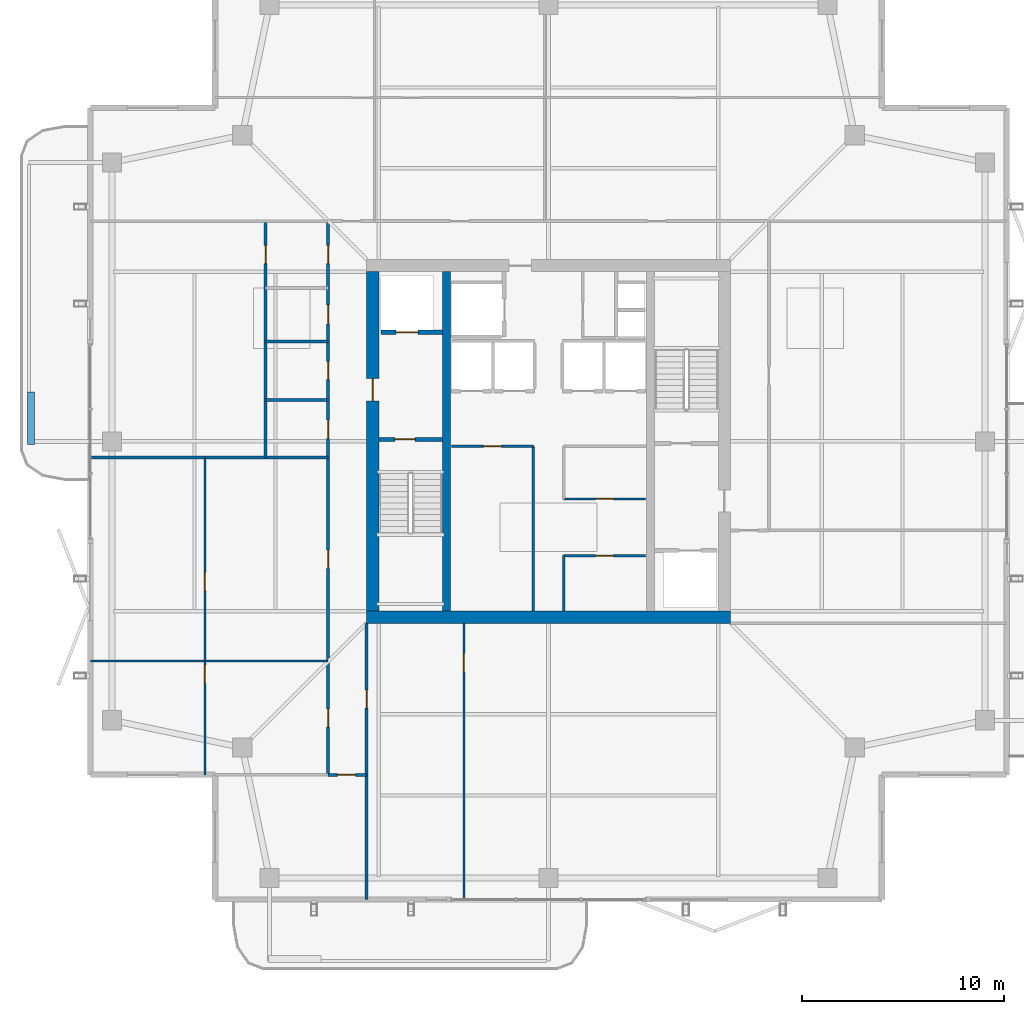
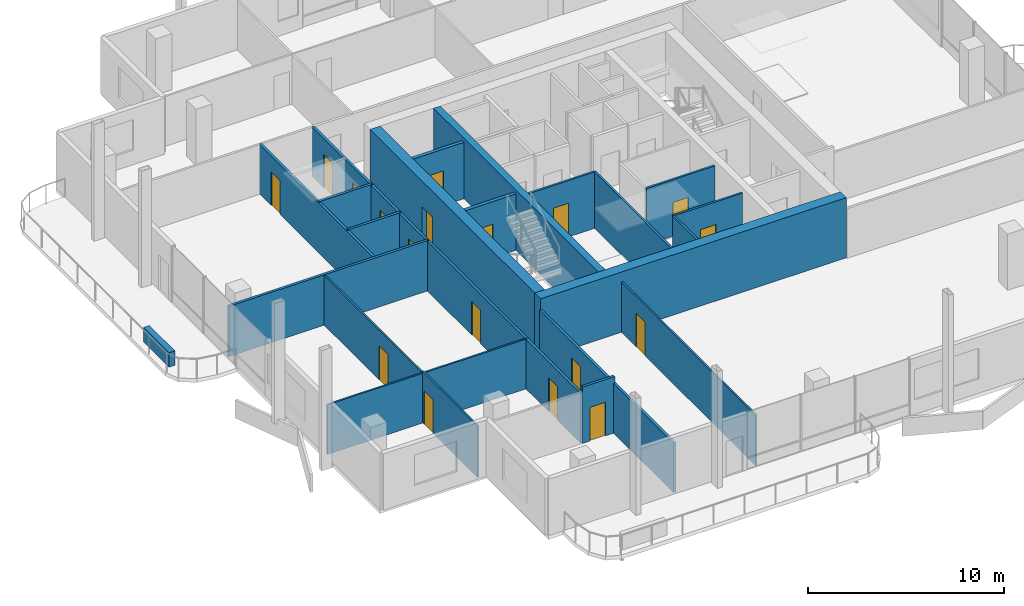
# One storey, part 14 of 20: 22 walls, 18 doors, 18 openings.
"""IFC4 building model written with IfcOpenShell, lengths in metres."""

from ifc_helpers import new_model, si_unit, direction, frame, frame_2d, origin, place, context, subcontext, project, spatial, rectangle, extrude, material, layer, layer_set, type_object, element, fill, save


model = new_model("IFC4")

# Units and contexts
model_context = context("Model", 3, precision=1e-05, world=origin(), true_north=direction((0.0, 1.0)))
body_context = subcontext(model_context, "Body", "Model", "MODEL_VIEW")
ifc_project = project(units=[si_unit("LENGTHUNIT", "METRE"), si_unit("AREAUNIT", "SQUARE_METRE"), si_unit("VOLUMEUNIT", "CUBIC_METRE"), si_unit("PLANEANGLEUNIT", "RADIAN"), si_unit("MASSUNIT", "GRAM", prefix="KILO")], contexts=[model_context])

# Site, building, storey
site_placement = place(None, origin())
site = spatial("IfcSite", under=ifc_project, at=site_placement, CompositionType="ELEMENT")
building_placement = place(site_placement, origin())
building = spatial("IfcBuilding", under=site, at=building_placement, Name="Belovzor Exchange Tower", CompositionType="ELEMENT")
storey_placement = place(building_placement, frame((0.0, 0.0, 314.25)))
storey = spatial("IfcBuildingStorey", under=building, at=storey_placement, Name="L78", CompositionType="ELEMENT", Elevation=314.25)

# Wall, opening, door
ifc_material_1 = material(Name="Acoustic Laminated Glass and Aluminium", Category="aluminium")
ifc_layer_1 = layer(ifc_material_1, 0.10009765625)
ifc_layer_set_1 = layer_set([ifc_layer_1], Name="Acoustic Laminated Glass and Aluminium")
wall_type_1 = type_object("IfcWallType", Name="Demountable Executive Glass Partition 100", PredefinedType="MOVABLE", material=ifc_layer_set_1)
wall_1_placement = place(storey_placement, frame((11.797119140625, 12.300048828125, 0.0), z_axis=(0.0, 0.0, 1.0), x_axis=(0.0, 1.0, 0.0)))
wall_1 = element("IfcWall", 1, at=wall_1_placement, inside=storey, type_object=wall_type_1, Name="W-M100 Partition Wall W-L78-WHDIV-0", PredefinedType="MOVABLE", context=body_context, shape_type="SweptSolid", body=[
    extrude(rectangle(XDim=5.6298828125, YDim=0.10009765625, at=frame_2d((2.81494140625, 0.0))), origin(), (0.0, 0.0, 1.0), 3.195068359375),
])
opening_1_placement = place(wall_1_placement, frame((4.530029296875, 0.0, 0.0)))
opening_1 = element("IfcOpeningElement", 2, at=opening_1_placement, cuts=wall_1, Name="Opening D-INT-090", PredefinedType="OPENING", context=body_context, shape_type="SweptSolid", body=[
    extrude(rectangle(XDim=0.89990234375, YDim=2.10009765625, at=frame_2d((0.449951171875, 1.050048828125))), frame((0.0, 0.06005859375, 0.0), z_axis=(0.0, -1.0, 0.0), x_axis=(1.0, 0.0, 0.0)), (0.0, 0.0, 1.0), 0.1201171875),
])
ifc_material_2 = material(Name="Veneered Hardwood Acoustic Leaf", Category="wood")
door_type_1 = type_object("IfcDoorType", Name="Trading Suite Acoustic Single Door 900x2100", OperationType="NOTDEFINED", PredefinedType="DOOR", material=ifc_material_2)
door_1_placement = place(opening_1_placement, origin())
door_1 = element("IfcDoor", 3, at=door_1_placement, inside=storey, type_object=door_type_1, Name="D-INT-090 Trading Suite Acoustic Single Door 900x2100", OperationType="SINGLE_SWING_LEFT", OverallHeight=2.10009765625, OverallWidth=0.89990234375, PredefinedType="DOOR", context=body_context, shape_type="SweptSolid", body=[
    extrude(rectangle(XDim=0.89990234375, YDim=2.10009765625, at=frame_2d((0.449951171875, 1.050048828125))), frame((0.0, 0.02490234375, 0.0), z_axis=(0.0, -1.0, 0.0), x_axis=(1.0, 0.0, 0.0)), (0.0, 0.0, 1.0), 0.050048828125),
])
fill(opening_1, door_1)

# Wall
wall_2_placement = place(storey_placement, frame((6.1298828125, 17.929931640625, 0.0), z_axis=(0.0, 0.0, 1.0), x_axis=(1.0, 0.0, 0.0)))
element("IfcWall", 4, at=wall_2_placement, inside=storey, type_object=wall_type_1, Name="W-M100 Partition Wall W-L78-WDIV-1", PredefinedType="MOVABLE", context=body_context, shape_type="SweptSolid", body=[
    extrude(rectangle(XDim=11.77001953125, YDim=0.10009765625, at=frame_2d((5.885009765625, 0.0))), origin(), (0.0, 0.0, 1.0), 3.094970703125),
])

# Wall, opening, door
wall_3_placement = place(storey_placement, frame((11.797119140625, 17.929931640625, 0.0), z_axis=(0.0, 0.0, 1.0), x_axis=(0.0, 1.0, 0.0)))
wall_3 = element("IfcWall", 5, at=wall_3_placement, inside=storey, type_object=wall_type_1, Name="W-M100 Partition Wall W-L78-WHDIV-1", PredefinedType="MOVABLE", context=body_context, shape_type="SweptSolid", body=[
    extrude(rectangle(XDim=10.070068359375, YDim=0.10009765625, at=frame_2d((5.03515625, 0.0))), origin(), (0.0, 0.0, 1.0), 3.094970703125),
])
opening_2_placement = place(wall_3_placement, frame((3.489013671875, 0.0, 0.0)))
opening_2 = element("IfcOpeningElement", 6, at=opening_2_placement, cuts=wall_3, Name="Opening D-INT-090", PredefinedType="OPENING", context=body_context, shape_type="SweptSolid", body=[
    extrude(rectangle(XDim=0.89990234375, YDim=2.10009765625, at=frame_2d((0.449951171875, 1.050048828125))), frame((0.0, 0.06005859375, 0.0), z_axis=(0.0, -1.0, 0.0), x_axis=(1.0, 0.0, 0.0)), (0.0, 0.0, 1.0), 0.1201171875),
])
door_2_placement = place(opening_2_placement, origin())
door_2 = element("IfcDoor", 7, at=door_2_placement, inside=storey, type_object=door_type_1, Name="D-INT-090 Trading Suite Acoustic Single Door 900x2100", OperationType="SINGLE_SWING_LEFT", OverallHeight=2.10009765625, OverallWidth=0.89990234375, PredefinedType="DOOR", context=body_context, shape_type="SweptSolid", body=[
    extrude(rectangle(XDim=0.89990234375, YDim=2.10009765625, at=frame_2d((0.449951171875, 1.050048828125))), frame((0.0, 0.02490234375, 0.0), z_axis=(0.0, -1.0, 0.0), x_axis=(1.0, 0.0, 0.0)), (0.0, 0.0, 1.0), 0.050048828125),
])
fill(opening_2, door_2)

wall_4_placement = place(storey_placement, frame((24.60791015625, 6.1298828125, 0.0), z_axis=(0.0, 0.0, 1.0), x_axis=(0.0, 1.0, 0.0)))
wall_4 = element("IfcWall", 8, at=wall_4_placement, inside=storey, type_object=wall_type_1, Name="W-M100 Partition Wall W-L78-SDIV-1", PredefinedType="MOVABLE", context=body_context, shape_type="SweptSolid", body=[
    extrude(rectangle(XDim=13.670166015625, YDim=0.10009765625, at=frame_2d((6.8349609375, 0.0))), origin(), (0.0, 0.0, 1.0), 3.135009765625),
])
opening_3_placement = place(wall_4_placement, frame((11.27001953125, 0.0, 0.0)))
opening_3 = element("IfcOpeningElement", 9, at=opening_3_placement, cuts=wall_4, Name="Opening D-INT-090", PredefinedType="OPENING", context=body_context, shape_type="SweptSolid", body=[
    extrude(rectangle(XDim=0.89990234375, YDim=2.10009765625, at=frame_2d((0.449951171875, 1.050048828125))), frame((0.0, 0.06005859375, 0.0), z_axis=(0.0, -1.0, 0.0), x_axis=(1.0, 0.0, 0.0)), (0.0, 0.0, 1.0), 0.1201171875),
])
door_3_placement = place(opening_3_placement, origin())
door_3 = element("IfcDoor", 10, at=door_3_placement, inside=storey, type_object=door_type_1, Name="D-INT-090 Trading Suite Acoustic Single Door 900x2100", OperationType="SINGLE_SWING_LEFT", OverallHeight=2.10009765625, OverallWidth=0.89990234375, PredefinedType="DOOR", context=body_context, shape_type="SweptSolid", body=[
    extrude(rectangle(XDim=0.89990234375, YDim=2.10009765625, at=frame_2d((0.449951171875, 1.050048828125))), frame((0.0, 0.02490234375, 0.0), z_axis=(0.0, -1.0, 0.0), x_axis=(1.0, 0.0, 0.0)), (0.0, 0.0, 1.0), 0.050048828125),
])
fill(opening_3, door_3)

ifc_material_3 = material(Name="Fire-Rated Plasterboard on Galvanised Studs", Category="gypsum")
ifc_layer_2 = layer(ifc_material_3, 0.1201171875)
ifc_layer_set_2 = layer_set([ifc_layer_2], Name="Fire-Rated Plasterboard on Galvanised Studs")
wall_type_2 = type_object("IfcWallType", Name="Fire-Rated Double-Stud Partition Wall 120", PredefinedType="PARTITIONING", material=ifc_layer_set_2)
wall_5_placement = place(storey_placement, frame((24.0, 28.550048828125, 0.0), z_axis=(0.0, 0.0, 1.0), x_axis=(1.0, 0.0, 0.0)))
wall_5 = element("IfcWall", 11, at=wall_5_placement, inside=storey, type_object=wall_type_2, Name="W-P120F Partition Wall W-CRWB-L78-N", PredefinedType="PARTITIONING", context=body_context, shape_type="SweptSolid", body=[
    extrude(rectangle(XDim=4.050048828125, YDim=0.1201171875, at=frame_2d((2.02490234375, 0.0))), origin(), (0.0, 0.0, 1.0), 3.510009765625),
])
opening_4_placement = place(wall_5_placement, frame((1.574951171875, 0.0, 0.0)))
opening_4 = element("IfcOpeningElement", 12, at=opening_4_placement, cuts=wall_5, Name="Opening D-FD60-090", PredefinedType="OPENING", context=body_context, shape_type="SweptSolid", body=[
    extrude(rectangle(XDim=0.89990234375, YDim=2.10009765625, at=frame_2d((0.449951171875, 1.050048828125))), frame((0.0, 0.070068359375, 0.0), z_axis=(0.0, -1.0, 0.0), x_axis=(1.0, 0.0, 0.0)), (0.0, 0.0, 1.0), 0.14013671875),
])
ifc_material_4 = material(Name="Acoustic Timber Fire Leaf", Category="wood")
door_type_2 = type_object("IfcDoorType", Name="Core Service & Restroom Fire Door 900x2100", OperationType="NOTDEFINED", PredefinedType="DOOR", material=ifc_material_4)
door_4_placement = place(opening_4_placement, origin())
door_4 = element("IfcDoor", 13, at=door_4_placement, inside=storey, type_object=door_type_2, Name="D-FD60-090 Core Service & Restroom Fire Door 900x2100", OperationType="SINGLE_SWING_LEFT", OverallHeight=2.10009765625, OverallWidth=0.89990234375, PredefinedType="DOOR", context=body_context, shape_type="SweptSolid", body=[
    extrude(rectangle(XDim=0.89990234375, YDim=2.10009765625, at=frame_2d((0.449951171875, 1.050048828125))), frame((0.0, 0.02490234375, 0.0), z_axis=(0.0, -1.0, 0.0), x_axis=(1.0, 0.0, 0.0)), (0.0, 0.0, 1.0), 0.050048828125),
])
fill(opening_4, door_4)

# Wall
wall_6_placement = place(storey_placement, frame((28.050048828125, 20.39990234375, 0.0), z_axis=(0.0, 0.0, 1.0), x_axis=(0.0, 1.0, 0.0)))
element("IfcWall", 14, at=wall_6_placement, inside=storey, type_object=wall_type_2, Name="W-P120F Partition Wall W-CRWB-L78-E", PredefinedType="PARTITIONING", context=body_context, shape_type="SweptSolid", body=[
    extrude(rectangle(XDim=8.150146484375, YDim=0.1201171875, at=frame_2d((4.0751953125, 0.0))), origin(), (0.0, 0.0, 1.0), 3.510009765625),
])

# Wall, opening, door
wall_7_placement = place(storey_placement, frame((29.550048828125, 23.14990234375, 0.0), z_axis=(0.0, 0.0, 1.0), x_axis=(1.0, 0.0, 0.0)))
wall_7 = element("IfcWall", 15, at=wall_7_placement, inside=storey, type_object=wall_type_2, Name="W-P120F Partition Wall W-CRL-L78-EN", PredefinedType="PARTITIONING", context=body_context, shape_type="SweptSolid", body=[
    extrude(rectangle(XDim=4.050048828125, YDim=0.1201171875, at=frame_2d((2.02490234375, 0.0))), origin(), (0.0, 0.0, 1.0), 3.510009765625),
])
opening_5_placement = place(wall_7_placement, frame((1.574951171875, 0.0, 0.0)))
opening_5 = element("IfcOpeningElement", 16, at=opening_5_placement, cuts=wall_7, Name="Opening D-FD60-090", PredefinedType="OPENING", context=body_context, shape_type="SweptSolid", body=[
    extrude(rectangle(XDim=0.89990234375, YDim=2.10009765625, at=frame_2d((0.449951171875, 1.050048828125))), frame((0.0, 0.070068359375, 0.0), z_axis=(0.0, -1.0, 0.0), x_axis=(1.0, 0.0, 0.0)), (0.0, 0.0, 1.0), 0.14013671875),
])
door_5_placement = place(opening_5_placement, origin())
door_5 = element("IfcDoor", 17, at=door_5_placement, inside=storey, type_object=door_type_2, Name="D-FD60-090 Core Service & Restroom Fire Door 900x2100", OperationType="SINGLE_SWING_RIGHT", OverallHeight=2.10009765625, OverallWidth=0.89990234375, PredefinedType="DOOR", context=body_context, shape_type="SweptSolid", body=[
    extrude(rectangle(XDim=0.89990234375, YDim=2.10009765625, at=frame_2d((0.449951171875, 1.050048828125))), frame((0.0, 0.02490234375, 0.0), z_axis=(0.0, -1.0, 0.0), x_axis=(1.0, 0.0, 0.0)), (0.0, 0.0, 1.0), 0.050048828125),
])
fill(opening_5, door_5)

# Wall
wall_8_placement = place(storey_placement, frame((29.550048828125, 20.39990234375, 0.0), z_axis=(0.0, 0.0, 1.0), x_axis=(0.0, 1.0, 0.0)))
element("IfcWall", 18, at=wall_8_placement, inside=storey, type_object=wall_type_2, Name="W-P120F Partition Wall W-CRL-L78-EW", PredefinedType="PARTITIONING", context=body_context, shape_type="SweptSolid", body=[
    extrude(rectangle(XDim=2.75, YDim=0.1201171875, at=frame_2d((1.375, 0.0))), origin(), (0.0, 0.0, 1.0), 3.510009765625),
])

# Wall, opening, door
wall_9_placement = place(storey_placement, frame((29.550048828125, 25.949951171875, 0.0), z_axis=(0.0, 0.0, 1.0), x_axis=(1.0, 0.0, 0.0)))
wall_9 = element("IfcWall", 19, at=wall_9_placement, inside=storey, type_object=wall_type_2, Name="W-P120F Partition Wall W-CRM-L78-ES", PredefinedType="PARTITIONING", context=body_context, shape_type="SweptSolid", body=[
    extrude(rectangle(XDim=4.050048828125, YDim=0.1201171875, at=frame_2d((2.02490234375, 0.0))), origin(), (0.0, 0.0, 1.0), 3.510009765625),
])
opening_6_placement = place(wall_9_placement, frame((1.574951171875, 0.0, 0.0)))
opening_6 = element("IfcOpeningElement", 20, at=opening_6_placement, cuts=wall_9, Name="Opening D-FD60-090", PredefinedType="OPENING", context=body_context, shape_type="SweptSolid", body=[
    extrude(rectangle(XDim=0.89990234375, YDim=2.10009765625, at=frame_2d((0.449951171875, 1.050048828125))), frame((0.0, 0.070068359375, 0.0), z_axis=(0.0, -1.0, 0.0), x_axis=(1.0, 0.0, 0.0)), (0.0, 0.0, 1.0), 0.14013671875),
])
door_6_placement = place(opening_6_placement, origin())
door_6 = element("IfcDoor", 21, at=door_6_placement, inside=storey, type_object=door_type_2, Name="D-FD60-090 Core Service & Restroom Fire Door 900x2100", OperationType="SINGLE_SWING_RIGHT", OverallHeight=2.10009765625, OverallWidth=0.89990234375, PredefinedType="DOOR", context=body_context, shape_type="SweptSolid", body=[
    extrude(rectangle(XDim=0.89990234375, YDim=2.10009765625, at=frame_2d((0.449951171875, 1.050048828125))), frame((0.0, 0.02490234375, 0.0), z_axis=(0.0, -1.0, 0.0), x_axis=(1.0, 0.0, 0.0)), (0.0, 0.0, 1.0), 0.050048828125),
])
fill(opening_6, door_6)

ifc_material_5 = material(Name="Fire-Rated Gypsum Block and Mineral Wool", Category="gypsum")
ifc_layer_3 = layer(ifc_material_5, 0.14990234375)
ifc_layer_set_3 = layer_set([ifc_layer_3], Name="Fire-Rated Gypsum Block and Mineral Wool")
wall_type_3 = type_object("IfcWallType", Name="Fire-Rated Gypsum Block Corridor Wall 150", PredefinedType="PARTITIONING", material=ifc_layer_set_3)
wall_10_placement = place(storey_placement, frame((14.800048828125, 28.0, 0.0), z_axis=(0.0, 0.0, 1.0), x_axis=(0.0, 1.0, 0.0)))
wall_10 = element("IfcWall", 22, at=wall_10_placement, inside=storey, type_object=wall_type_3, Name="W-P150 Partition Wall W-L78-WCW", PredefinedType="PARTITIONING", context=body_context, shape_type="SweptSolid", body=[
    extrude(rectangle(XDim=11.699951171875, YDim=0.14990234375, at=frame_2d((5.85009765625, 0.0))), origin(), (0.0, 0.0, 1.0), 3.094970703125),
])
opening_7_placement = place(wall_10_placement, frame((9.60009765625, 0.0, 0.0)))
opening_7 = element("IfcOpeningElement", 23, at=opening_7_placement, cuts=wall_10, Name="Opening D-INT-090", PredefinedType="OPENING", context=body_context, shape_type="SweptSolid", body=[
    extrude(rectangle(XDim=0.89990234375, YDim=2.10009765625, at=frame_2d((0.449951171875, 1.050048828125))), frame((0.0, 0.0849609375, 0.0), z_axis=(0.0, -1.0, 0.0), x_axis=(1.0, 0.0, 0.0)), (0.0, 0.0, 1.0), 0.169921875),
])
door_7_placement = place(opening_7_placement, origin())
door_7 = element("IfcDoor", 24, at=door_7_placement, inside=storey, type_object=door_type_1, Name="D-INT-090 Trading Suite Acoustic Single Door 900x2100", OperationType="SINGLE_SWING_LEFT", OverallHeight=2.10009765625, OverallWidth=0.89990234375, PredefinedType="DOOR", context=body_context, shape_type="SweptSolid", body=[
    extrude(rectangle(XDim=0.89990234375, YDim=2.10009765625, at=frame_2d((0.449951171875, 1.050048828125))), frame((0.0, 0.02490234375, 0.0), z_axis=(0.0, -1.0, 0.0), x_axis=(1.0, 0.0, 0.0)), (0.0, 0.0, 1.0), 0.050048828125),
])
fill(opening_7, door_7)

# Walls
wall_11_placement = place(storey_placement, frame((6.1298828125, 28.0, 0.0), z_axis=(0.0, 0.0, 1.0), x_axis=(1.0, 0.0, 0.0)))
element("IfcWall", 25, at=wall_11_placement, inside=storey, type_object=wall_type_3, Name="W-P150 Partition Wall W-L78-WCS", PredefinedType="PARTITIONING", context=body_context, shape_type="SweptSolid", body=[
    extrude(rectangle(XDim=11.77001953125, YDim=0.14990234375, at=frame_2d((5.885009765625, 0.0))), origin(), (0.0, 0.0, 1.0), 3.135009765625),
])
for number, where, z_axis, x_axis, name in (
    (26, (14.800048828125, 30.85009765625, 0.0), (0.0, 0.0, 1.0), (1.0, 0.0, 0.0), "W-P150 Partition Wall W-L78-WCD1"),
    (27, (14.800048828125, 33.75, 0.0), (0.0, 0.0, 1.0), (1.0, 0.0, 0.0), "W-P150 Partition Wall W-L78-WCD2"),
):
    element("IfcWall", number, at=place(storey_placement, frame(where, z_axis=z_axis, x_axis=x_axis)), inside=storey, type_object=wall_type_3, Name=name, PredefinedType="PARTITIONING", context=body_context, shape_type="SweptSolid", body=[
        extrude(rectangle(XDim=3.099853515625, YDim=0.14990234375, at=frame_2d((1.5498046875, 0.0))), origin(), (0.0, 0.0, 1.0), 3.135009765625),
    ])

# Wall, opening, door
wall_12_placement = place(storey_placement, frame((17.89990234375, 12.300048828125, 0.0), z_axis=(0.0, 0.0, 1.0), x_axis=(1.0, 0.0, 0.0)))
wall_12 = element("IfcWall", 28, at=wall_12_placement, inside=storey, type_object=wall_type_3, Name="W-P150 Partition Wall W-L78-CW-END", PredefinedType="PARTITIONING", context=body_context, shape_type="SweptSolid", body=[
    extrude(rectangle(XDim=1.900146484375, YDim=0.14990234375, at=frame_2d((0.9501953125, 0.0))), origin(), (0.0, 0.0, 1.0), 3.510009765625),
])
opening_8_placement = place(wall_12_placement, frame((0.449951171875, 0.0, 0.0)))
opening_8 = element("IfcOpeningElement", 29, at=opening_8_placement, cuts=wall_12, Name="Opening D-FD60-090", PredefinedType="OPENING", context=body_context, shape_type="SweptSolid", body=[
    extrude(rectangle(XDim=0.89990234375, YDim=2.10009765625, at=frame_2d((0.449951171875, 1.050048828125))), frame((0.0, 0.0849609375, 0.0), z_axis=(0.0, -1.0, 0.0), x_axis=(1.0, 0.0, 0.0)), (0.0, 0.0, 1.0), 0.169921875),
])
door_8_placement = place(opening_8_placement, origin())
door_8 = element("IfcDoor", 30, at=door_8_placement, inside=storey, type_object=door_type_2, Name="D-FD60-090 Core Service & Restroom Fire Door 900x2100", OperationType="SINGLE_SWING_LEFT", OverallHeight=2.10009765625, OverallWidth=0.89990234375, PredefinedType="DOOR", context=body_context, shape_type="SweptSolid", body=[
    extrude(rectangle(XDim=0.89990234375, YDim=2.10009765625, at=frame_2d((0.449951171875, 1.050048828125))), frame((0.0, 0.02490234375, 0.0), z_axis=(0.0, -1.0, 0.0), x_axis=(1.0, 0.0, 0.0)), (0.0, 0.0, 1.0), 0.050048828125),
])
fill(opening_8, door_8)

wall_13_placement = place(storey_placement, frame((19.800048828125, 6.1298828125, 0.0), z_axis=(0.0, 0.0, 1.0), x_axis=(0.0, 1.0, 0.0)))
wall_13 = element("IfcWall", 31, at=wall_13_placement, inside=storey, type_object=wall_type_3, Name="W-P150 Partition Wall W-L78-CW-E", PredefinedType="PARTITIONING", context=body_context, shape_type="SweptSolid", body=[
    extrude(rectangle(XDim=13.670166015625, YDim=0.14990234375, at=frame_2d((6.8349609375, 0.0))), origin(), (0.0, 0.0, 1.0), 3.094970703125),
])
opening_9_placement = place(wall_13_placement, frame((9.469970703125, 0.0, 0.0)))
opening_9 = element("IfcOpeningElement", 32, at=opening_9_placement, cuts=wall_13, Name="Opening D-FD60-090", PredefinedType="OPENING", context=body_context, shape_type="SweptSolid", body=[
    extrude(rectangle(XDim=0.89990234375, YDim=2.10009765625, at=frame_2d((0.449951171875, 1.050048828125))), frame((0.0, 0.0849609375, 0.0), z_axis=(0.0, -1.0, 0.0), x_axis=(1.0, 0.0, 0.0)), (0.0, 0.0, 1.0), 0.169921875),
])
door_9_placement = place(opening_9_placement, origin())
door_9 = element("IfcDoor", 33, at=door_9_placement, inside=storey, type_object=door_type_2, Name="D-FD60-090 Core Service & Restroom Fire Door 900x2100", OperationType="SINGLE_SWING_RIGHT", OverallHeight=2.10009765625, OverallWidth=0.89990234375, PredefinedType="DOOR", context=body_context, shape_type="SweptSolid", body=[
    extrude(rectangle(XDim=0.89990234375, YDim=2.10009765625, at=frame_2d((0.449951171875, 1.050048828125))), frame((0.0, 0.02490234375, 0.0), z_axis=(0.0, -1.0, 0.0), x_axis=(1.0, 0.0, 0.0)), (0.0, 0.0, 1.0), 0.050048828125),
])
fill(opening_9, door_9)

# Wall, openings, doors
wall_14_placement = place(storey_placement, frame((17.89990234375, 12.300048828125, 0.0), z_axis=(0.0, 0.0, 1.0), x_axis=(0.0, 1.0, 0.0)))
wall_14 = element("IfcWall", 34, at=wall_14_placement, inside=storey, type_object=wall_type_3, Name="W-P150 Partition Wall W-L78-CW", PredefinedType="PARTITIONING", context=body_context, shape_type="SweptSolid", body=[
    extrude(rectangle(XDim=27.39990234375, YDim=0.14990234375, at=frame_2d((13.699951171875, 0.0))), origin(), (0.0, 0.0, 1.0), 3.094970703125),
])
opening_10_placement = place(wall_14_placement, frame((2.364990234375, 0.0, 0.0)))
opening_10 = element("IfcOpeningElement", 35, at=opening_10_placement, cuts=wall_14, Name="Opening D-INT-090", PredefinedType="OPENING", context=body_context, shape_type="SweptSolid", body=[
    extrude(rectangle(XDim=0.89990234375, YDim=2.10009765625, at=frame_2d((0.449951171875, 1.050048828125))), frame((0.0, 0.0849609375, 0.0), z_axis=(0.0, -1.0, 0.0), x_axis=(1.0, 0.0, 0.0)), (0.0, 0.0, 1.0), 0.169921875),
])
opening_11_placement = place(wall_14_placement, frame((10.215087890625, 0.0, 0.0)))
opening_11 = element("IfcOpeningElement", 36, at=opening_11_placement, cuts=wall_14, Name="Opening D-INT-090", PredefinedType="OPENING", context=body_context, shape_type="SweptSolid", body=[
    extrude(rectangle(XDim=0.89990234375, YDim=2.10009765625, at=frame_2d((0.449951171875, 1.050048828125))), frame((0.0, 0.0849609375, 0.0), z_axis=(0.0, -1.0, 0.0), x_axis=(1.0, 0.0, 0.0)), (0.0, 0.0, 1.0), 0.169921875),
])
opening_12_placement = place(wall_14_placement, frame((16.64990234375, 0.0, 0.0)))
opening_12 = element("IfcOpeningElement", 37, at=opening_12_placement, cuts=wall_14, Name="Opening D-FD60-090", PredefinedType="OPENING", context=body_context, shape_type="SweptSolid", body=[
    extrude(rectangle(XDim=0.89990234375, YDim=2.10009765625, at=frame_2d((0.449951171875, 1.050048828125))), frame((0.0, 0.0849609375, 0.0), z_axis=(0.0, -1.0, 0.0), x_axis=(1.0, 0.0, 0.0)), (0.0, 0.0, 1.0), 0.169921875),
])
opening_13_placement = place(wall_14_placement, frame((19.550048828125, 0.0, 0.0)))
opening_13 = element("IfcOpeningElement", 38, at=opening_13_placement, cuts=wall_14, Name="Opening D-FD60-090", PredefinedType="OPENING", context=body_context, shape_type="SweptSolid", body=[
    extrude(rectangle(XDim=0.89990234375, YDim=2.10009765625, at=frame_2d((0.449951171875, 1.050048828125))), frame((0.0, 0.0849609375, 0.0), z_axis=(0.0, -1.0, 0.0), x_axis=(1.0, 0.0, 0.0)), (0.0, 0.0, 1.0), 0.169921875),
])
opening_14_placement = place(wall_14_placement, frame((22.300048828125, 0.0, 0.0)))
opening_14 = element("IfcOpeningElement", 39, at=opening_14_placement, cuts=wall_14, Name="Opening D-FD60-095", PredefinedType="OPENING", context=body_context, shape_type="SweptSolid", body=[
    extrude(rectangle(XDim=0.949951171875, YDim=2.10009765625, at=frame_2d((0.47509765625, 1.050048828125))), frame((0.0, 0.0849609375, 0.0), z_axis=(0.0, -1.0, 0.0), x_axis=(1.0, 0.0, 0.0)), (0.0, 0.0, 1.0), 0.169921875),
])
opening_15_placement = place(wall_14_placement, frame((25.300048828125, 0.0, 0.0)))
opening_15 = element("IfcOpeningElement", 40, at=opening_15_placement, cuts=wall_14, Name="Opening D-FD60-090", PredefinedType="OPENING", context=body_context, shape_type="SweptSolid", body=[
    extrude(rectangle(XDim=0.89990234375, YDim=2.10009765625, at=frame_2d((0.449951171875, 1.050048828125))), frame((0.0, 0.0849609375, 0.0), z_axis=(0.0, -1.0, 0.0), x_axis=(1.0, 0.0, 0.0)), (0.0, 0.0, 1.0), 0.169921875),
])
ifc_material_6 = material(Name="Moisture-Resistant Timber Fire Leaf", Category="wood")
door_type_3 = type_object("IfcDoorType", Name="Accessible Restroom Wide Fire Door 950x2100", OperationType="NOTDEFINED", PredefinedType="DOOR", material=ifc_material_6)
door_10_placement = place(opening_14_placement, origin())
door_10 = element("IfcDoor", 41, at=door_10_placement, inside=storey, type_object=door_type_3, Name="D-FD60-095 Accessible Restroom Wide Fire Door 950x2100", OperationType="SINGLE_SWING_LEFT", OverallHeight=2.10009765625, OverallWidth=0.949951171875, PredefinedType="DOOR", context=body_context, shape_type="SweptSolid", body=[
    extrude(rectangle(XDim=0.949951171875, YDim=2.10009765625, at=frame_2d((0.47509765625, 1.050048828125))), frame((0.0, 0.02490234375, 0.0), z_axis=(0.0, -1.0, 0.0), x_axis=(1.0, 0.0, 0.0)), (0.0, 0.0, 1.0), 0.050048828125),
])
fill(opening_14, door_10)
door_11_placement = place(opening_12_placement, origin())
door_11 = element("IfcDoor", 42, at=door_11_placement, inside=storey, type_object=door_type_2, Name="D-FD60-090 Core Service & Restroom Fire Door 900x2100", OperationType="SINGLE_SWING_LEFT", OverallHeight=2.10009765625, OverallWidth=0.89990234375, PredefinedType="DOOR", context=body_context, shape_type="SweptSolid", body=[
    extrude(rectangle(XDim=0.89990234375, YDim=2.10009765625, at=frame_2d((0.449951171875, 1.050048828125))), frame((0.0, 0.02490234375, 0.0), z_axis=(0.0, -1.0, 0.0), x_axis=(1.0, 0.0, 0.0)), (0.0, 0.0, 1.0), 0.050048828125),
])
fill(opening_12, door_11)
door_12_placement = place(opening_13_placement, origin())
door_12 = element("IfcDoor", 43, at=door_12_placement, inside=storey, type_object=door_type_2, Name="D-FD60-090 Core Service & Restroom Fire Door 900x2100", OperationType="SINGLE_SWING_RIGHT", OverallHeight=2.10009765625, OverallWidth=0.89990234375, PredefinedType="DOOR", context=body_context, shape_type="SweptSolid", body=[
    extrude(rectangle(XDim=0.89990234375, YDim=2.10009765625, at=frame_2d((0.449951171875, 1.050048828125))), frame((0.0, 0.02490234375, 0.0), z_axis=(0.0, -1.0, 0.0), x_axis=(1.0, 0.0, 0.0)), (0.0, 0.0, 1.0), 0.050048828125),
])
fill(opening_13, door_12)
door_13_placement = place(opening_15_placement, origin())
door_13 = element("IfcDoor", 44, at=door_13_placement, inside=storey, type_object=door_type_2, Name="D-FD60-090 Core Service & Restroom Fire Door 900x2100", OperationType="SINGLE_SWING_LEFT", OverallHeight=2.10009765625, OverallWidth=0.89990234375, PredefinedType="DOOR", context=body_context, shape_type="SweptSolid", body=[
    extrude(rectangle(XDim=0.89990234375, YDim=2.10009765625, at=frame_2d((0.449951171875, 1.050048828125))), frame((0.0, 0.02490234375, 0.0), z_axis=(0.0, -1.0, 0.0), x_axis=(1.0, 0.0, 0.0)), (0.0, 0.0, 1.0), 0.050048828125),
])
fill(opening_15, door_13)
door_14_placement = place(opening_10_placement, origin())
door_14 = element("IfcDoor", 45, at=door_14_placement, inside=storey, type_object=door_type_1, Name="D-INT-090 Trading Suite Acoustic Single Door 900x2100", OperationType="SINGLE_SWING_LEFT", OverallHeight=2.10009765625, OverallWidth=0.89990234375, PredefinedType="DOOR", context=body_context, shape_type="SweptSolid", body=[
    extrude(rectangle(XDim=0.89990234375, YDim=2.10009765625, at=frame_2d((0.449951171875, 1.050048828125))), frame((0.0, 0.02490234375, 0.0), z_axis=(0.0, -1.0, 0.0), x_axis=(1.0, 0.0, 0.0)), (0.0, 0.0, 1.0), 0.050048828125),
])
fill(opening_10, door_14)
door_15_placement = place(opening_11_placement, origin())
door_15 = element("IfcDoor", 46, at=door_15_placement, inside=storey, type_object=door_type_1, Name="D-INT-090 Trading Suite Acoustic Single Door 900x2100", OperationType="SINGLE_SWING_RIGHT", OverallHeight=2.10009765625, OverallWidth=0.89990234375, PredefinedType="DOOR", context=body_context, shape_type="SweptSolid", body=[
    extrude(rectangle(XDim=0.89990234375, YDim=2.10009765625, at=frame_2d((0.449951171875, 1.050048828125))), frame((0.0, 0.02490234375, 0.0), z_axis=(0.0, -1.0, 0.0), x_axis=(1.0, 0.0, 0.0)), (0.0, 0.0, 1.0), 0.050048828125),
])
fill(opening_11, door_15)

# Walls
ifc_material_7 = material(Name="Precast concrete C40/50", Category="concrete")
ifc_layer_4 = layer(ifc_material_7, 0.35009765625)
ifc_layer_set_4 = layer_set([ifc_layer_4], Name="Precast concrete C40/50")
wall_type_4 = type_object("IfcWallType", Name="Precast Concrete Structural Tree Planter Trough 350", PredefinedType="PARAPET", material=ifc_layer_set_4)
wall_15_placement = place(storey_placement, frame((3.199951171875, 28.64990234375, 0.0), z_axis=(0.0, 0.0, 1.0), x_axis=(0.0, 1.0, 0.0)))
element("IfcWall", 47, at=wall_15_placement, inside=storey, type_object=wall_type_4, Name="PT-350 Precast Concrete Structural Tree Planter Trough 350 L78", PredefinedType="PARAPET", context=body_context, shape_type="SweptSolid", body=[
    extrude(rectangle(XDim=2.60009765625, YDim=0.35009765625, at=frame_2d((1.300048828125, 0.0))), origin(), (0.0, 0.0, 1.0), 0.89990234375),
])
ifc_material_8 = material(Name="Concrete C50/60", Category="concrete")
ifc_layer_5 = layer(ifc_material_8, 0.39990234375)
ifc_layer_set_5 = layer_set([ifc_layer_5], Name="Concrete C50/60")
wall_type_5 = type_object("IfcWallType", Name="Reinforced Concrete Core Internal Web Wall 400", PredefinedType="SHEAR", material=ifc_layer_set_5)
wall_16_placement = place(storey_placement, frame((23.75, 20.39990234375, 0.0), z_axis=(0.0, 0.0, 1.0), x_axis=(0.0, 1.0, 0.0)))
element("IfcWall", 48, at=wall_16_placement, inside=storey, type_object=wall_type_5, Name="CW-W040 Core Internal Web Wall L78 WL", PredefinedType="SHEAR", context=body_context, shape_type="SweptSolid", body=[
    extrude(rectangle(XDim=16.800048828125, YDim=0.39990234375, at=frame_2d((8.39990234375, 0.0))), origin(), (0.0, 0.0, 1.0), 3.75),
])

# Wall, opening, door
ifc_material_9 = material(Name="Concrete C50/60", Category="concrete")
ifc_layer_6 = layer(ifc_material_9, 0.199951171875)
ifc_layer_set_6 = layer_set([ifc_layer_6], Name="Concrete C50/60")
wall_type_6 = type_object("IfcWallType", Name="Reinforced Concrete Core Shaft Shear Wall 200", PredefinedType="SHEAR", material=ifc_layer_set_6)
wall_17_placement = place(storey_placement, frame((20.39990234375, 28.89990234375, 0.0), z_axis=(0.0, 0.0, 1.0), x_axis=(1.0, 0.0, 0.0)))
wall_17 = element("IfcWall", 49, at=wall_17_placement, inside=storey, type_object=wall_type_6, Name="W-C200S Core Shaft Wall W-CORE-L78-FFLW1", PredefinedType="SHEAR", context=body_context, shape_type="SweptSolid", body=[
    extrude(rectangle(XDim=3.150146484375, YDim=0.199951171875, at=frame_2d((1.5751953125, 0.0))), origin(), (0.0, 0.0, 1.0), 3.510009765625),
])
opening_16_placement = place(wall_17_placement, frame((0.800048828125, 0.0, 0.0)))
opening_16 = element("IfcOpeningElement", 50, at=opening_16_placement, cuts=wall_17, Name="Opening D-FD90-100", PredefinedType="OPENING", context=body_context, shape_type="SweptSolid", body=[
    extrude(rectangle(XDim=1.0, YDim=2.10009765625, at=frame_2d((0.5, 1.050048828125))), frame((0.0, 0.10986328125, 0.0), z_axis=(0.0, -1.0, 0.0), x_axis=(1.0, 0.0, 0.0)), (0.0, 0.0, 1.0), 0.219970703125),
])
ifc_material_10 = material(Name="Fire-Rated Galvanised Steel Leaf", Category="steel")
door_type_4 = type_object("IfcDoorType", Name="Protected Stairwell Single Fire Door 1000x2100", OperationType="NOTDEFINED", PredefinedType="DOOR", material=ifc_material_10)
door_16_placement = place(opening_16_placement, origin())
door_16 = element("IfcDoor", 51, at=door_16_placement, inside=storey, type_object=door_type_4, Name="D-FD90-100 Protected Stairwell Single Fire Door 1000x2100", OperationType="SINGLE_SWING_RIGHT", OverallHeight=2.10009765625, OverallWidth=1.0, PredefinedType="DOOR", context=body_context, shape_type="SweptSolid", body=[
    extrude(rectangle(XDim=1.0, YDim=2.10009765625, at=frame_2d((0.5, 1.050048828125))), frame((0.0, 0.02490234375, 0.0), z_axis=(0.0, -1.0, 0.0), x_axis=(1.0, 0.0, 0.0)), (0.0, 0.0, 1.0), 0.050048828125),
])
fill(opening_16, door_16)

wall_18_placement = place(storey_placement, frame((20.5, 34.199951171875, 0.0), z_axis=(0.0, 0.0, 1.0), x_axis=(1.0, 0.0, 0.0)))
wall_18 = element("IfcWall", 52, at=wall_18_placement, inside=storey, type_object=wall_type_6, Name="W-C200S Core Shaft Wall W-SH-L78-FFL-01", PredefinedType="SHEAR", context=body_context, shape_type="SweptSolid", body=[
    extrude(rectangle(XDim=3.050048828125, YDim=0.199951171875, at=frame_2d((1.52490234375, 0.0))), origin(), (0.0, 0.0, 1.0), 3.510009765625),
])
opening_17_placement = place(wall_18_placement, frame((0.75, 0.0, 0.0)))
opening_17 = element("IfcOpeningElement", 53, at=opening_17_placement, cuts=wall_18, Name="Opening LD-110", PredefinedType="OPENING", context=body_context, shape_type="SweptSolid", body=[
    extrude(rectangle(XDim=1.10009765625, YDim=2.14990234375, at=frame_2d((0.550048828125, 1.074951171875))), frame((0.0, 0.10986328125, 0.0), z_axis=(0.0, -1.0, 0.0), x_axis=(1.0, 0.0, 0.0)), (0.0, 0.0, 1.0), 0.219970703125),
])
ifc_material_11 = material(Name="Stainless Steel Grade 304", Category="steel")
door_type_5 = type_object("IfcDoorType", Name="Automated Stainless Steel Lift Landing Door 1100x2150", OperationType="SLIDING_TO_RIGHT", PredefinedType="DOOR", material=ifc_material_11)
door_17_placement = place(opening_17_placement, origin())
door_17 = element("IfcDoor", 54, at=door_17_placement, inside=storey, type_object=door_type_5, Name="LD-110 Automated Stainless Steel Lift Landing Door 1100x2150", OperationType="SLIDING_TO_RIGHT", OverallHeight=2.14990234375, OverallWidth=1.10009765625, PredefinedType="DOOR", context=body_context, shape_type="SweptSolid", body=[
    extrude(rectangle(XDim=1.10009765625, YDim=2.14990234375, at=frame_2d((0.550048828125, 1.074951171875))), frame((0.0, 0.02490234375, 0.0), z_axis=(0.0, -1.0, 0.0), x_axis=(1.0, 0.0, 0.0)), (0.0, 0.0, 1.0), 0.050048828125),
])
fill(opening_17, door_17)

# Wall
ifc_material_12 = material(Name="Concrete C50/60", Category="concrete")
ifc_layer_7 = layer(ifc_material_12, 0.60009765625)
ifc_layer_set_7 = layer_set([ifc_layer_7], Name="Concrete C50/60")
wall_type_7 = type_object("IfcWallType", Name="Reinforced Concrete Core Shear Wall 600", PredefinedType="SHEAR", material=ifc_layer_set_7)
wall_19_placement = place(storey_placement, frame((19.800048828125, 20.10009765625, 0.0), z_axis=(0.0, 0.0, 1.0), x_axis=(1.0, 0.0, 0.0)))
element("IfcWall", 55, at=wall_19_placement, inside=storey, type_object=wall_type_7, Name="CW-S060 Core Shear Wall L78 S", PredefinedType="SHEAR", context=body_context, shape_type="SweptSolid", body=[
    extrude(rectangle(XDim=18.0, YDim=0.60009765625, at=frame_2d((9.0, 0.0))), origin(), (0.0, 0.0, 1.0), 3.75),
])

# Wall, opening, door
wall_20_placement = place(storey_placement, frame((20.10009765625, 20.39990234375, 0.0), z_axis=(0.0, 0.0, 1.0), x_axis=(0.0, 1.0, 0.0)))
wall_20 = element("IfcWall", 56, at=wall_20_placement, inside=storey, type_object=wall_type_7, Name="CW-S060 Core Shear Wall L78 W", PredefinedType="SHEAR", context=body_context, shape_type="SweptSolid", body=[
    extrude(rectangle(XDim=16.800048828125, YDim=0.60009765625, at=frame_2d((8.39990234375, 0.0))), origin(), (0.0, 0.0, 1.0), 3.75),
])
opening_18_placement = place(wall_20_placement, frame((10.39990234375, 0.0, 0.0)))
opening_18 = element("IfcOpeningElement", 57, at=opening_18_placement, cuts=wall_20, Name="Opening D-FD90-110", PredefinedType="OPENING", context=body_context, shape_type="SweptSolid", body=[
    extrude(rectangle(XDim=1.10009765625, YDim=2.14990234375, at=frame_2d((0.550048828125, 1.074951171875))), frame((0.0, 0.31005859375, 0.0), z_axis=(0.0, -1.0, 0.0), x_axis=(1.0, 0.0, 0.0)), (0.0, 0.0, 1.0), 0.6201171875),
])
ifc_material_13 = material(Name="Fire-Rated Galvanised Steel Leaf", Category="steel")
door_type_6 = type_object("IfcDoorType", Name="Protected Escape Vestibule Fire Door 1100x2150", OperationType="NOTDEFINED", PredefinedType="DOOR", material=ifc_material_13)
door_18_placement = place(opening_18_placement, origin())
door_18 = element("IfcDoor", 58, at=door_18_placement, inside=storey, type_object=door_type_6, Name="D-FD90-110 Protected Escape Vestibule Fire Door 1100x2150", OperationType="SINGLE_SWING_LEFT", OverallHeight=2.14990234375, OverallWidth=1.10009765625, PredefinedType="DOOR", context=body_context, shape_type="SweptSolid", body=[
    extrude(rectangle(XDim=1.10009765625, YDim=2.14990234375, at=frame_2d((0.550048828125, 1.074951171875))), frame((0.0, 0.02490234375, 0.0), z_axis=(0.0, -1.0, 0.0), x_axis=(1.0, 0.0, 0.0)), (0.0, 0.0, 1.0), 0.050048828125),
])
fill(opening_18, door_18)

save(model, "model.ifc")
